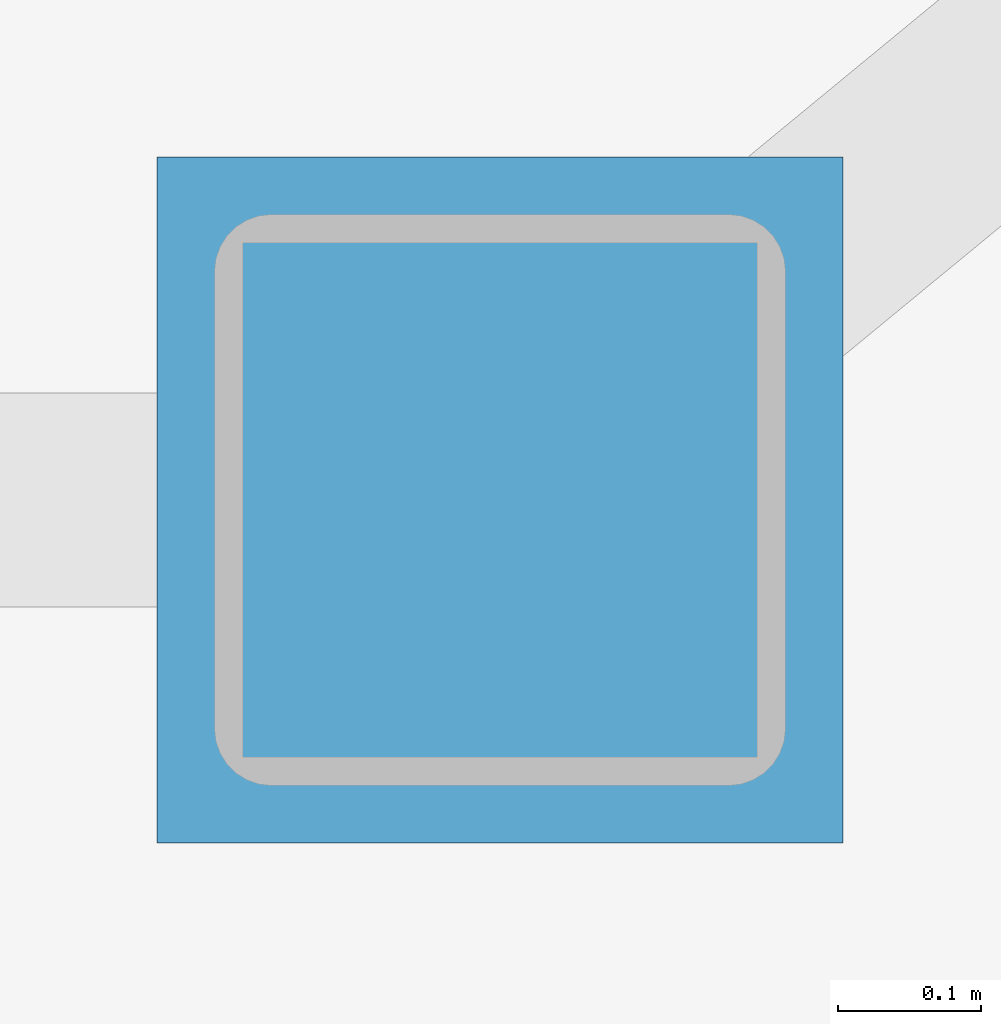
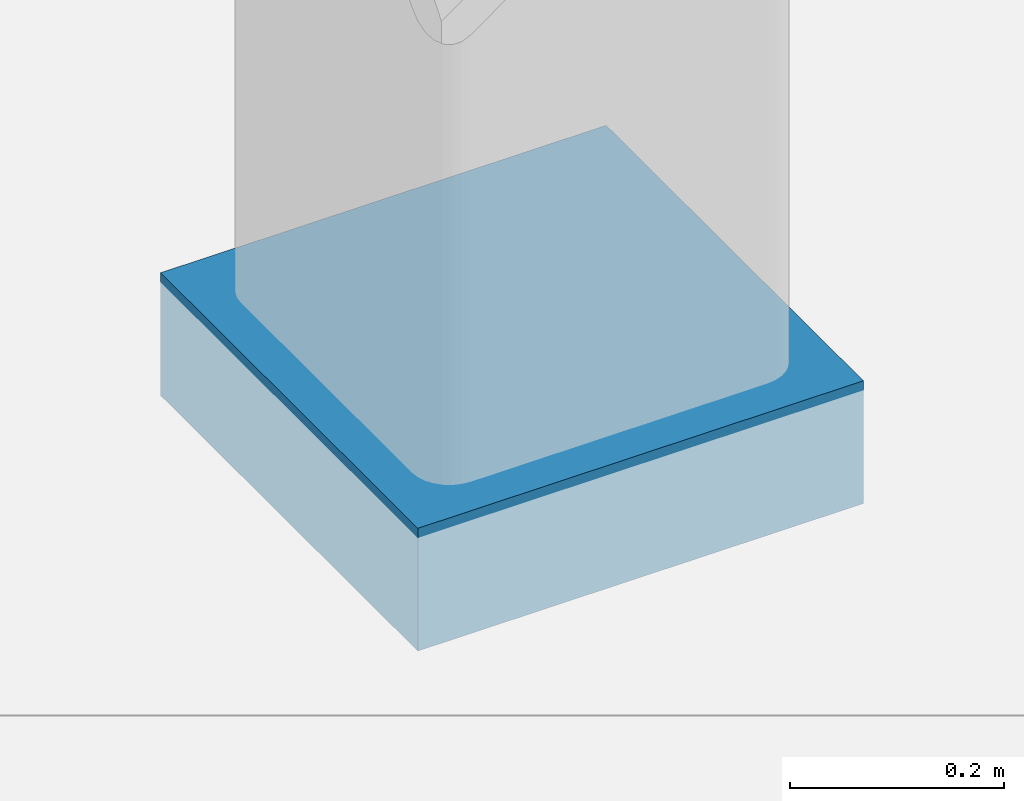
# One storey, part 28 of 37: 1 discrete accessory.
"""IFC4 building model written with IfcOpenShell, lengths in metres."""

from ifc_helpers import new_model, si_unit, direction, frame, origin, origin_2d, place, context, subcontext, project, spatial, rectangle, extrude, material, type_object, element, save


model = new_model("IFC4")

# Units and contexts
model_context = context("Model", 3, precision=1e-05, world=origin(), true_north=direction((0.0, 1.0)))
body_context = subcontext(model_context, "Body", "Model", "MODEL_VIEW")
ifc_project = project(units=[si_unit("LENGTHUNIT", "METRE"), si_unit("AREAUNIT", "SQUARE_METRE"), si_unit("VOLUMEUNIT", "CUBIC_METRE"), si_unit("PLANEANGLEUNIT", "RADIAN"), si_unit("MASSUNIT", "GRAM", prefix="KILO")], contexts=[model_context])

# Site, building, storey
site_placement = place(None, origin())
site = spatial("IfcSite", under=ifc_project, at=site_placement, CompositionType="ELEMENT")
building_placement = place(site_placement, origin())
building = spatial("IfcBuilding", under=site, at=building_placement, Name="Narakoshi Arena Tower", CompositionType="ELEMENT")
storey_placement = place(building_placement, frame((0.0, 0.0, -6.0)))
storey = spatial("IfcBuildingStorey", under=building, at=storey_placement, Name="B01", CompositionType="ELEMENT", Elevation=-6.0)

# Discrete accessory
ifc_material = material(Name="Structural steel S460ML", Category="steel")
discrete_accessory_type = type_object("IfcDiscreteAccessoryType", Name="ACC-GUS-PLT", PredefinedType="BRACKET", material=ifc_material)
discrete_accessory_placement = place(storey_placement, frame((68.5, 2.199951171875, -0.72998046875), z_axis=(0.0, 0.0, 1.0), x_axis=(1.0, 0.0, 0.0)))
element("IfcDiscreteAccessory", 1, at=discrete_accessory_placement, inside=storey, type_object=discrete_accessory_type, Name="B01 Canopy Column Base Cap Plate CAN03", PredefinedType="BRACKET", context=body_context, shape_type="SweptSolid", body=[
    extrude(rectangle(XDim=0.47998046875, YDim=0.47998046875, at=origin_2d()), origin(), (0.0, 0.0, 1.0), 0.139892578125),
])

save(model, "model.ifc")
